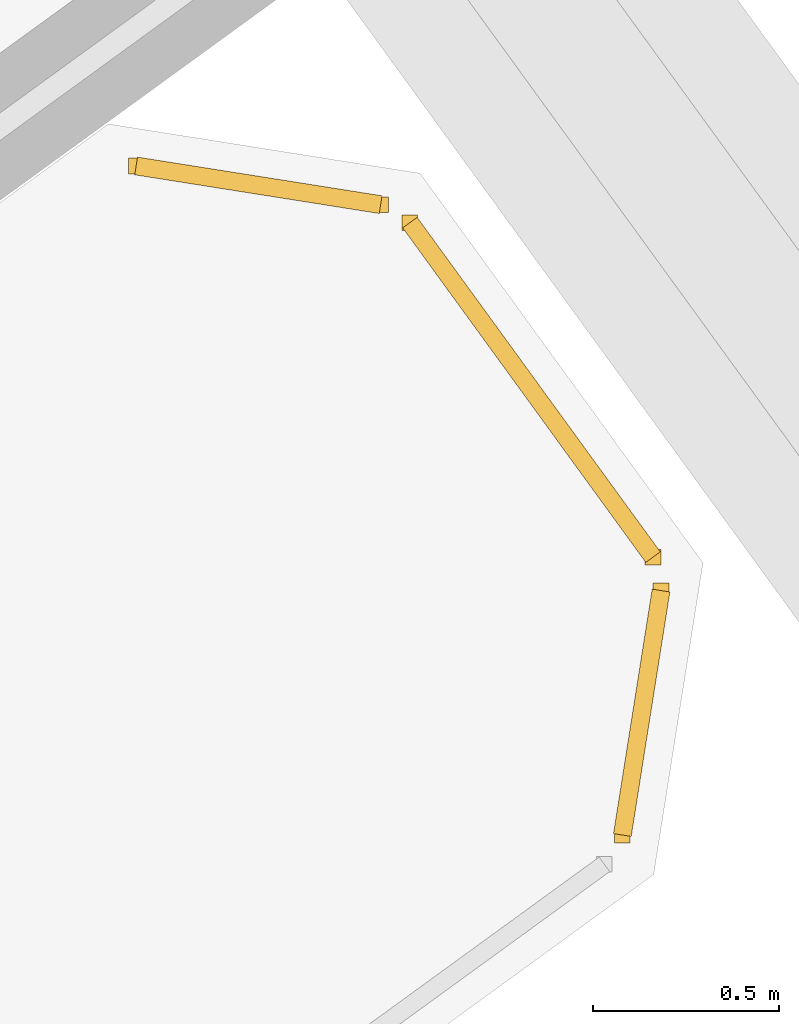
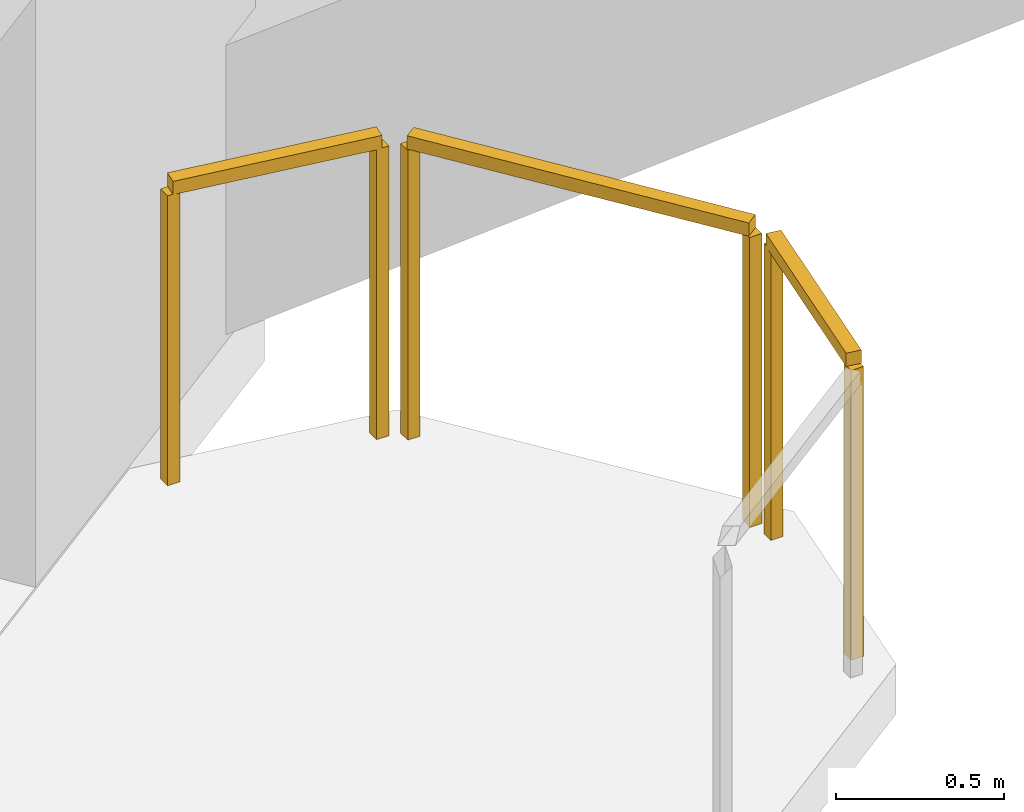
# One storey, part 34 of 34: 3 railings.
"""IFC4 building model written with IfcOpenShell, lengths in metres."""

from ifc_helpers import new_model, si_unit, direction, frame, origin, origin_2d, place, context, subcontext, project, spatial, rectangle, extrude, source, transform, mapped, material, type_object, element, save


model = new_model("IFC4")

# Units and contexts
model_context = context("Model", 3, precision=1e-05, world=origin(), true_north=direction((0.0, 1.0)))
body_context = subcontext(model_context, "Body", "Model", "MODEL_VIEW")
ifc_project = project(units=[si_unit("LENGTHUNIT", "METRE"), si_unit("AREAUNIT", "SQUARE_METRE"), si_unit("VOLUMEUNIT", "CUBIC_METRE"), si_unit("PLANEANGLEUNIT", "RADIAN"), si_unit("MASSUNIT", "GRAM", prefix="KILO")], contexts=[model_context])

# Site, building, storey
site_placement = place(None, origin())
site = spatial("IfcSite", under=ifc_project, at=site_placement, CompositionType="ELEMENT")
building_placement = place(site_placement, origin())
building = spatial("IfcBuilding", under=site, at=building_placement, Name="Tlacorven Tower", CompositionType="ELEMENT")
storey_placement = place(building_placement, frame((0.0, 0.0, 229.199951171875)))
storey = spatial("IfcBuildingStorey", under=building, at=storey_placement, Name="L58", CompositionType="ELEMENT", Elevation=229.199951171875)

# Railings
ifc_material = material(Name="Aluminium and painted steel balustrade", Category="steel")
railing_type = type_object("IfcRailingType", Name="RL-BAL-1100", PredefinedType="BALUSTRADE", material=ifc_material)
shared_shape_1 = source(origin(), body_context, "Body", "SweptSolid", [
    extrude(rectangle(XDim=0.048095703125, YDim=0.048095703125, at=origin_2d()), frame((0.0, 0.0, 1.076171875), z_axis=(0.58788449985, -0.808944877501, 0.0), x_axis=(0.808944877501, 0.58788449985, 0.0)), (0.0, 0.0, 1.0), 1.112060546875),
    extrude(rectangle(XDim=0.0419921875, YDim=0.0419921875, at=origin_2d()), origin(), (0.0, 0.0, 1.0), 1.052001953125),
    extrude(rectangle(XDim=0.0419921875, YDim=0.0419921875, at=origin_2d()), frame((0.65380859375, -0.899658203125, 0.0)), (0.0, 0.0, 1.0), 1.052001953125),
])
railing_1_placement = place(storey_placement, frame((67.60595703125, 21.799072265625, 0.0)))
element("IfcRailing", 1, at=railing_1_placement, inside=storey, type_object=railing_type, Name="BAL-L58-E-OUT Guard Railing 5", PredefinedType="BALUSTRADE", context=body_context, shape_type="MappedRepresentation", body=[
    mapped(shared_shape_1, transform((0.0, 0.0, 0.0), scale=1.0)),
])
shared_shape_2 = source(origin(), body_context, "Body", "SweptSolid", [
    extrude(rectangle(XDim=0.048095703125, YDim=0.048095703125, at=origin_2d()), frame((0.0, 0.0, 1.076171875), z_axis=(-0.156245081039, -0.987718317463, 0.0), x_axis=(0.987718317463, -0.156245081039, 0.0)), (0.0, 0.0, 1.0), 0.66552734375),
    extrude(rectangle(XDim=0.0419921875, YDim=0.0419921875, at=origin_2d()), origin(), (0.0, 0.0, 1.0), 1.052001953125),
    extrude(rectangle(XDim=0.0419921875, YDim=0.0419921875, at=origin_2d()), frame((-0.10400390625, -0.657470703125, 0.0)), (0.0, 0.0, 1.0), 1.052001953125),
])
railing_2_placement = place(storey_placement, frame((68.28125, 20.8095703125, 0.0)))
element("IfcRailing", 2, at=railing_2_placement, inside=storey, type_object=railing_type, Name="BAL-L58-E-OUT Guard Railing 6", PredefinedType="BALUSTRADE", context=body_context, shape_type="MappedRepresentation", body=[
    mapped(shared_shape_2, transform((0.0, 0.0, 0.0), scale=1.0)),
])
shared_shape_3 = source(origin(), body_context, "Body", "SweptSolid", [
    extrude(rectangle(XDim=0.048095703125, YDim=0.048095703125, at=origin_2d()), frame((0.0, 0.0, 1.076171875), z_axis=(0.987727266442, -0.156188498702, 0.0), x_axis=(0.156188498702, 0.987727266442, 0.0)), (0.0, 0.0, 1.0), 0.665771484375),
    extrude(rectangle(XDim=0.0419921875, YDim=0.0419921875, at=origin_2d()), origin(), (0.0, 0.0, 1.0), 1.052001953125),
    extrude(rectangle(XDim=0.0419921875, YDim=0.0419921875, at=origin_2d()), frame((0.65771484375, -0.10400390625, 0.0)), (0.0, 0.0, 1.0), 1.052001953125),
])
railing_3_placement = place(storey_placement, frame((66.86962890625, 21.951416015625, 0.0)))
element("IfcRailing", 3, at=railing_3_placement, inside=storey, type_object=railing_type, Name="BAL-L58-E-OUT Guard Railing 4", PredefinedType="BALUSTRADE", context=body_context, shape_type="MappedRepresentation", body=[
    mapped(shared_shape_3, transform((0.0, 0.0, 0.0), scale=1.0)),
])

save(model, "model.ifc")
